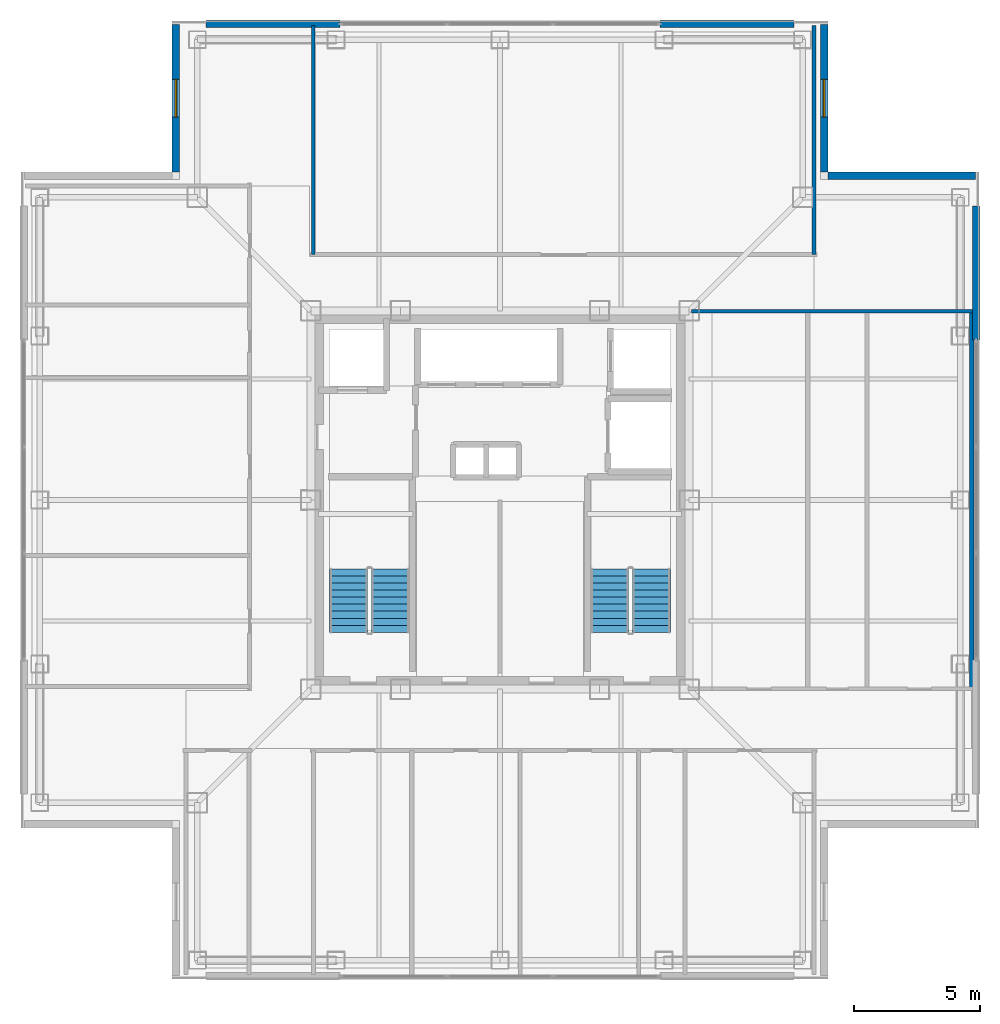
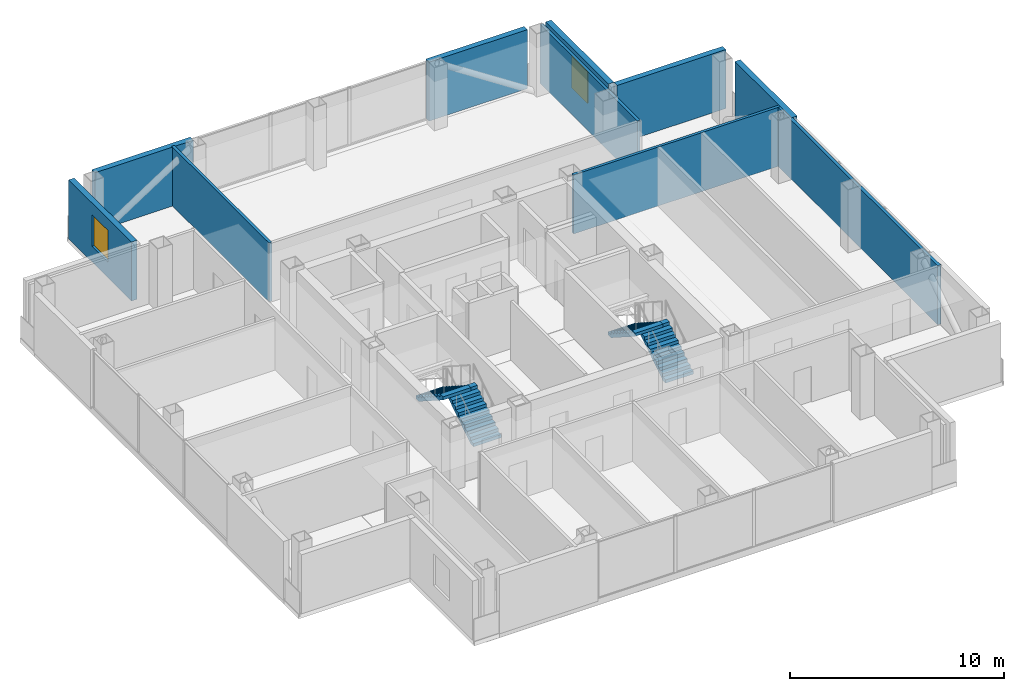
# One storey, part 10 of 16: 10 walls, 4 stair flights, 2 windows, 2 openings, 2 elements without a shape of their own.
"""IFC4 building model written with IfcOpenShell, lengths in metres."""

from ifc_helpers import new_model, si_unit, direction, frame, frame_2d, origin, place, context, subcontext, project, spatial, polyline, rectangle, outline, extrude, material, layer, layer_set, type_object, element, fill, aggregate, save


model = new_model("IFC4")

# Units and contexts
model_context = context("Model", 3, precision=1e-05, world=origin(), true_north=direction((0.0, 1.0)))
body_context = subcontext(model_context, "Body", "Model", "MODEL_VIEW")
ifc_project = project(units=[si_unit("LENGTHUNIT", "METRE"), si_unit("AREAUNIT", "SQUARE_METRE"), si_unit("VOLUMEUNIT", "CUBIC_METRE"), si_unit("PLANEANGLEUNIT", "RADIAN"), si_unit("MASSUNIT", "GRAM", prefix="KILO")], contexts=[model_context])

# Site, building, storey
site_placement = place(None, origin())
site = spatial("IfcSite", under=ifc_project, at=site_placement, CompositionType="ELEMENT")
building_placement = place(site_placement, origin())
building = spatial("IfcBuilding", under=site, at=building_placement, Name="Trevonay Congress Spire", CompositionType="ELEMENT")
storey_placement = place(building_placement, frame((0.0, 0.0, 290.0)))
storey = spatial("IfcBuildingStorey", under=building, at=storey_placement, Name="L76", CompositionType="ELEMENT", Elevation=290.0)

# Walls
ifc_material_1 = material(Name="Precast concrete C40/50", Category="concrete")
ifc_layer_1 = layer(ifc_material_1, 0.300048828125, Name="Precast concrete C40/50")
ifc_layer_set_1 = layer_set([ifc_layer_1], Name="Precast concrete C40/50")
wall_type_1 = type_object("IfcWallType", Name="WAL-EXT-PRECAST-300", PredefinedType="SOLIDWALL", material=ifc_layer_set_1)
for number, where, z_axis, x_axis, name in (
    (1, (-11.64990234375, 18.8798828125, 0.0), (0.0, 0.0, 1.0), (1.0, 0.0, 0.0), "L76 NL braced-bay exterior pier wall"),
    (2, (6.35009765625, 18.8798828125, 0.0), (0.0, 0.0, 1.0), (1.0, 0.0, 0.0), "L76 NR braced-bay exterior pier wall"),
    (3, (18.8798828125, 6.35009765625, 0.0), (0.0, 0.0, 1.0), (0.0, 1.0, 0.0), "L76 ER braced-bay exterior pier wall"),
):
    element("IfcWall", number, at=place(storey_placement, frame(where, z_axis=z_axis, x_axis=x_axis)), inside=storey, type_object=wall_type_1, Name=name, PredefinedType="SOLIDWALL", context=body_context, shape_type="SweptSolid", body=[
        extrude(rectangle(XDim=5.2998046875, YDim=0.300048828125, at=frame_2d((2.64990234375, 0.0))), origin(), (0.0, 0.0, 1.0), 3.360107421875),
    ])

# Wall, opening, window
wall_1_placement = place(storey_placement, frame((12.85009765625, 18.85009765625, 0.0), z_axis=(0.0, 0.0, 1.0), x_axis=(0.0, -1.0, 0.0)))
wall_1 = element("IfcWall", 4, at=wall_1_placement, inside=storey, type_object=wall_type_1, Name="L76 NE re-entrant notch exterior wall 1", PredefinedType="SOLIDWALL", context=body_context, shape_type="SweptSolid", body=[
    extrude(rectangle(XDim=5.85009765625, YDim=0.300048828125, at=frame_2d((2.925048828125, 0.0))), origin(), (0.0, 0.0, 1.0), 3.360107421875),
])
opening_1_placement = place(wall_1_placement, frame((2.175048828125, 0.0, 0.89990234375)))
opening_1 = element("IfcOpeningElement", 5, at=opening_1_placement, cuts=wall_1, Name="Opening WN03", PredefinedType="OPENING", context=body_context, shape_type="SweptSolid", body=[
    extrude(rectangle(XDim=1.5, YDim=1.800048828125, at=frame_2d((0.75, 0.89990234375))), frame((0.0, 0.16015625, 0.0), z_axis=(0.0, -1.0, 0.0), x_axis=(1.0, 0.0, 0.0)), (0.0, 0.0, 1.0), 0.320068359375),
])
ifc_material_2 = material(Name="Insulated Low-E Vision Glass IGU", Category="glass")
window_type = type_object("IfcWindowType", Name="WIN-NOTCH-150X180", PartitioningType="SINGLE_PANEL", PredefinedType="WINDOW", material=ifc_material_2)
window_1_placement = place(opening_1_placement, origin())
window_1 = element("IfcWindow", 6, at=window_1_placement, inside=storey, type_object=window_type, Name="L76 NE corner notch window", OverallHeight=1.800048828125, OverallWidth=1.5, PartitioningType="SINGLE_PANEL", PredefinedType="WINDOW", context=body_context, shape_type="SweptSolid", body=[
    extrude(rectangle(XDim=1.5, YDim=1.800048828125, at=frame_2d((0.75, 0.89990234375))), frame((0.0, 0.030029296875, 0.0), z_axis=(0.0, -1.0, 0.0), x_axis=(1.0, 0.0, 0.0)), (0.0, 0.0, 1.0), 0.06005859375),
])
fill(opening_1, window_1)

# Wall
wall_2_placement = place(storey_placement, frame((18.85009765625, 12.85009765625, 0.0), z_axis=(0.0, 0.0, 1.0), x_axis=(-1.0, 0.0, 0.0)))
element("IfcWall", 7, at=wall_2_placement, inside=storey, type_object=wall_type_1, Name="L76 NE re-entrant notch exterior wall 2", PredefinedType="SOLIDWALL", context=body_context, shape_type="SweptSolid", body=[
    extrude(rectangle(XDim=5.85009765625, YDim=0.300048828125, at=frame_2d((2.925048828125, 0.0))), origin(), (0.0, 0.0, 1.0), 3.360107421875),
])

# Wall, opening, window
wall_3_placement = place(storey_placement, frame((-12.85009765625, 18.85009765625, 0.0), z_axis=(0.0, 0.0, 1.0), x_axis=(0.0, -1.0, 0.0)))
wall_3 = element("IfcWall", 8, at=wall_3_placement, inside=storey, type_object=wall_type_1, Name="L76 NW re-entrant notch exterior wall 1", PredefinedType="SOLIDWALL", context=body_context, shape_type="SweptSolid", body=[
    extrude(rectangle(XDim=5.85009765625, YDim=0.300048828125, at=frame_2d((2.925048828125, 0.0))), origin(), (0.0, 0.0, 1.0), 3.360107421875),
])
opening_2_placement = place(wall_3_placement, frame((2.175048828125, 0.0, 0.89990234375)))
opening_2 = element("IfcOpeningElement", 9, at=opening_2_placement, cuts=wall_3, Name="Opening WN03", PredefinedType="OPENING", context=body_context, shape_type="SweptSolid", body=[
    extrude(rectangle(XDim=1.5, YDim=1.800048828125, at=frame_2d((0.75, 0.89990234375))), frame((0.0, 0.16015625, 0.0), z_axis=(0.0, -1.0, 0.0), x_axis=(1.0, 0.0, 0.0)), (0.0, 0.0, 1.0), 0.320068359375),
])
window_2_placement = place(opening_2_placement, origin())
window_2 = element("IfcWindow", 10, at=window_2_placement, inside=storey, type_object=window_type, Name="L76 NW corner notch window", OverallHeight=1.800048828125, OverallWidth=1.5, PartitioningType="SINGLE_PANEL", PredefinedType="WINDOW", context=body_context, shape_type="SweptSolid", body=[
    extrude(rectangle(XDim=1.5, YDim=1.800048828125, at=frame_2d((0.75, 0.89990234375))), frame((0.0, 0.030029296875, 0.0), z_axis=(0.0, -1.0, 0.0), x_axis=(1.0, 0.0, 0.0)), (0.0, 0.0, 1.0), 0.06005859375),
])
fill(opening_2, window_2)

# Walls
ifc_material_3 = material(Name="Concrete C40/50", Category="concrete")
ifc_layer_2 = layer(ifc_material_3, 0.14990234375, Name="Concrete C40/50")
ifc_layer_set_2 = layer_set([ifc_layer_2], Name="Concrete C40/50")
wall_type_2 = type_object("IfcWallType", Name="WAL-PART-150", PredefinedType="PARTITIONING", material=ifc_layer_set_2)
for number, where, z_axis, x_axis, name in (
    (11, (-7.39990234375, 9.72998046875, 0.0), (0.0, 0.0, 1.0), (0.0, 1.0, 0.0), "L76 interior wall WP-L76N-DIV1"),
    (12, (12.449951171875, 9.72998046875, 0.0), (0.0, 0.0, 1.0), (0.0, 1.0, 0.0), "L76 interior wall WP-L76N-DIV2"),
):
    element("IfcWall", number, at=place(storey_placement, frame(where, z_axis=z_axis, x_axis=x_axis)), inside=storey, type_object=wall_type_2, Name=name, PredefinedType="PARTITIONING", context=body_context, shape_type="SweptSolid", body=[
        extrude(rectangle(XDim=9.090087890625, YDim=0.14990234375, at=frame_2d((4.544921875, 0.0))), origin(), (0.0, 0.0, 1.0), 3.360107421875),
    ])
wall_4_placement = place(storey_placement, frame((7.60009765625, 7.47998046875, 0.0), z_axis=(0.0, 0.0, 1.0), x_axis=(1.0, 0.0, 0.0)))
element("IfcWall", 13, at=wall_4_placement, inside=storey, type_object=wall_type_2, Name="L76 interior wall WP-L76E-NCLS", PredefinedType="PARTITIONING", context=body_context, shape_type="SweptSolid", body=[
    extrude(rectangle(XDim=11.219970703125, YDim=0.14990234375, at=frame_2d((5.60986328125, 0.0))), origin(), (0.0, 0.0, 1.0), 3.360107421875),
])
ifc_layer_3 = layer(ifc_material_3, 0.1650390625, Name="Concrete C40/50")
ifc_layer_set_3 = layer_set([ifc_layer_3], Name="Concrete C40/50")
wall_type_3 = type_object("IfcWallType", Name="WAL-WET-165", PredefinedType="PLUMBINGWALL", material=ifc_layer_set_3)
wall_5_placement = place(storey_placement, frame((18.699951171875, -7.47998046875, 0.0), z_axis=(0.0, 0.0, 1.0), x_axis=(0.0, 1.0, 0.0)))
element("IfcWall", 14, at=wall_5_placement, inside=storey, type_object=wall_type_3, Name="L76 interior wall WP-L76E-DIV2", PredefinedType="PLUMBINGWALL", context=body_context, shape_type="SweptSolid", body=[
    extrude(rectangle(XDim=14.89990234375, YDim=0.1650390625, at=frame_2d((7.449951171875, 0.0))), origin(), (0.0, 0.0, 1.0), 3.360107421875),
])

# Stair, stair flights
stair_type_1 = type_object("IfcStairType", Name="STR-ST-1", PredefinedType="HALF_TURN_STAIR", material=ifc_material_3)
stair_1_placement = place(storey_placement, origin())
stair_1 = element("IfcStair", 15, at=stair_1_placement, inside=storey, type_object=stair_type_1, Name="L76 Protected Exit Stair ST-1", PredefinedType="HALF_TURN_STAIR")
stair_flight_type_1 = type_object("IfcStairFlightType", Name="SFL-ST-1", PredefinedType="STRAIGHT", material=ifc_material_3)
stair_flight_1_placement = place(storey_placement, frame((-4.35009765625, -5.25, 0.0), z_axis=(0.0, 0.0, 1.0), x_axis=(0.0, 1.0, 0.0)))
stair_flight_1 = element("IfcStairFlight", 16, at=stair_flight_1_placement, type_object=stair_flight_type_1, Name="ST-1 flight 1", NumberOfRisers=10, NumberOfTreads=9, PredefinedType="STRAIGHT", RiserHeight=0.18, TreadLength=0.28, context=body_context, shape_type="SweptSolid", body=[
    extrude(outline(polyline([(0.0, 0.0), (0.0, 0.179931640625), (0.280029296875, 0.179931640625), (0.280029296875, 0.360107421875), (0.56005859375, 0.360107421875), (0.56005859375, 0.5400390625), (0.840087890625, 0.5400390625), (0.840087890625, 0.719970703125), (1.1201171875, 0.719970703125), (1.1201171875, 0.89990234375), (1.39990234375, 0.89990234375), (1.39990234375, 1.080078125), (1.679931640625, 1.080078125), (1.679931640625, 1.260009765625), (1.9599609375, 1.260009765625), (1.9599609375, 1.43994140625), (2.239990234375, 1.43994140625), (2.239990234375, 1.6201171875), (2.52001953125, 1.6201171875), (2.52001953125, 1.800048828125), (2.52001953125, 1.44189453125), (0.277099609375, 0.0), (0.0, 0.0)])), frame((0.0, 0.75, 0.0), z_axis=(0.0, -1.0, 0.0), x_axis=(1.0, 0.0, 0.0)), (0.0, 0.0, 1.0), 1.5),
])
stair_flight_2_placement = place(storey_placement, frame((-6.0, -2.72998046875, 1.800048828125), z_axis=(0.0, 0.0, 1.0), x_axis=(0.0, -1.0, 0.0)))
stair_flight_2 = element("IfcStairFlight", 17, at=stair_flight_2_placement, type_object=stair_flight_type_1, Name="ST-1 flight 2", NumberOfRisers=10, NumberOfTreads=9, PredefinedType="STRAIGHT", RiserHeight=0.18, TreadLength=0.28, context=body_context, shape_type="SweptSolid", body=[
    extrude(outline(polyline([(0.0, 0.0), (0.0, 0.179931640625), (0.280029296875, 0.179931640625), (0.280029296875, 0.360107421875), (0.56005859375, 0.360107421875), (0.56005859375, 0.5400390625), (0.840087890625, 0.5400390625), (0.840087890625, 0.719970703125), (1.1201171875, 0.719970703125), (1.1201171875, 0.89990234375), (1.39990234375, 0.89990234375), (1.39990234375, 1.080078125), (1.679931640625, 1.080078125), (1.679931640625, 1.260009765625), (1.9599609375, 1.260009765625), (1.9599609375, 1.43994140625), (2.239990234375, 1.43994140625), (2.239990234375, 1.6201171875), (2.52001953125, 1.6201171875), (2.52001953125, 1.800048828125), (2.52001953125, 1.44189453125), (0.277099609375, 0.0), (0.0, 0.0)])), frame((0.0, 0.75, 0.0), z_axis=(0.0, -1.0, 0.0), x_axis=(1.0, 0.0, 0.0)), (0.0, 0.0, 1.0), 1.5),
])
aggregate(stair_1, [stair_flight_1, stair_flight_2])

stair_type_2 = type_object("IfcStairType", Name="STR-ST-2", PredefinedType="HALF_TURN_STAIR", material=ifc_material_3)
stair_2_placement = place(storey_placement, origin())
stair_2 = element("IfcStair", 18, at=stair_2_placement, inside=storey, type_object=stair_type_2, Name="L76 Protected Exit Stair ST-2", PredefinedType="HALF_TURN_STAIR")
stair_flight_type_2 = type_object("IfcStairFlightType", Name="SFL-ST-2", PredefinedType="STRAIGHT", material=ifc_material_3)
stair_flight_3_placement = place(storey_placement, frame((6.0, -5.25, 0.0), z_axis=(0.0, 0.0, 1.0), x_axis=(0.0, 1.0, 0.0)))
stair_flight_3 = element("IfcStairFlight", 19, at=stair_flight_3_placement, type_object=stair_flight_type_2, Name="ST-2 flight 1", NumberOfRisers=10, NumberOfTreads=9, PredefinedType="STRAIGHT", RiserHeight=0.18, TreadLength=0.28, context=body_context, shape_type="SweptSolid", body=[
    extrude(outline(polyline([(0.0, 0.0), (0.0, 0.179931640625), (0.280029296875, 0.179931640625), (0.280029296875, 0.360107421875), (0.56005859375, 0.360107421875), (0.56005859375, 0.5400390625), (0.840087890625, 0.5400390625), (0.840087890625, 0.719970703125), (1.1201171875, 0.719970703125), (1.1201171875, 0.89990234375), (1.39990234375, 0.89990234375), (1.39990234375, 1.080078125), (1.679931640625, 1.080078125), (1.679931640625, 1.260009765625), (1.9599609375, 1.260009765625), (1.9599609375, 1.43994140625), (2.239990234375, 1.43994140625), (2.239990234375, 1.6201171875), (2.52001953125, 1.6201171875), (2.52001953125, 1.800048828125), (2.52001953125, 1.44189453125), (0.277099609375, 0.0), (0.0, 0.0)])), frame((0.0, 0.75, 0.0), z_axis=(0.0, -1.0, 0.0), x_axis=(1.0, 0.0, 0.0)), (0.0, 0.0, 1.0), 1.5),
])
stair_flight_4_placement = place(storey_placement, frame((4.35009765625, -2.72998046875, 1.800048828125), z_axis=(0.0, 0.0, 1.0), x_axis=(0.0, -1.0, 0.0)))
stair_flight_4 = element("IfcStairFlight", 20, at=stair_flight_4_placement, type_object=stair_flight_type_2, Name="ST-2 flight 2", NumberOfRisers=10, NumberOfTreads=9, PredefinedType="STRAIGHT", RiserHeight=0.18, TreadLength=0.28, context=body_context, shape_type="SweptSolid", body=[
    extrude(outline(polyline([(0.0, 0.0), (0.0, 0.179931640625), (0.280029296875, 0.179931640625), (0.280029296875, 0.360107421875), (0.56005859375, 0.360107421875), (0.56005859375, 0.5400390625), (0.840087890625, 0.5400390625), (0.840087890625, 0.719970703125), (1.1201171875, 0.719970703125), (1.1201171875, 0.89990234375), (1.39990234375, 0.89990234375), (1.39990234375, 1.080078125), (1.679931640625, 1.080078125), (1.679931640625, 1.260009765625), (1.9599609375, 1.260009765625), (1.9599609375, 1.43994140625), (2.239990234375, 1.43994140625), (2.239990234375, 1.6201171875), (2.52001953125, 1.6201171875), (2.52001953125, 1.800048828125), (2.52001953125, 1.44189453125), (0.277099609375, 0.0), (0.0, 0.0)])), frame((0.0, 0.75, 0.0), z_axis=(0.0, -1.0, 0.0), x_axis=(1.0, 0.0, 0.0)), (0.0, 0.0, 1.0), 1.5),
])
aggregate(stair_2, [stair_flight_3, stair_flight_4])

save(model, "model.ifc")
